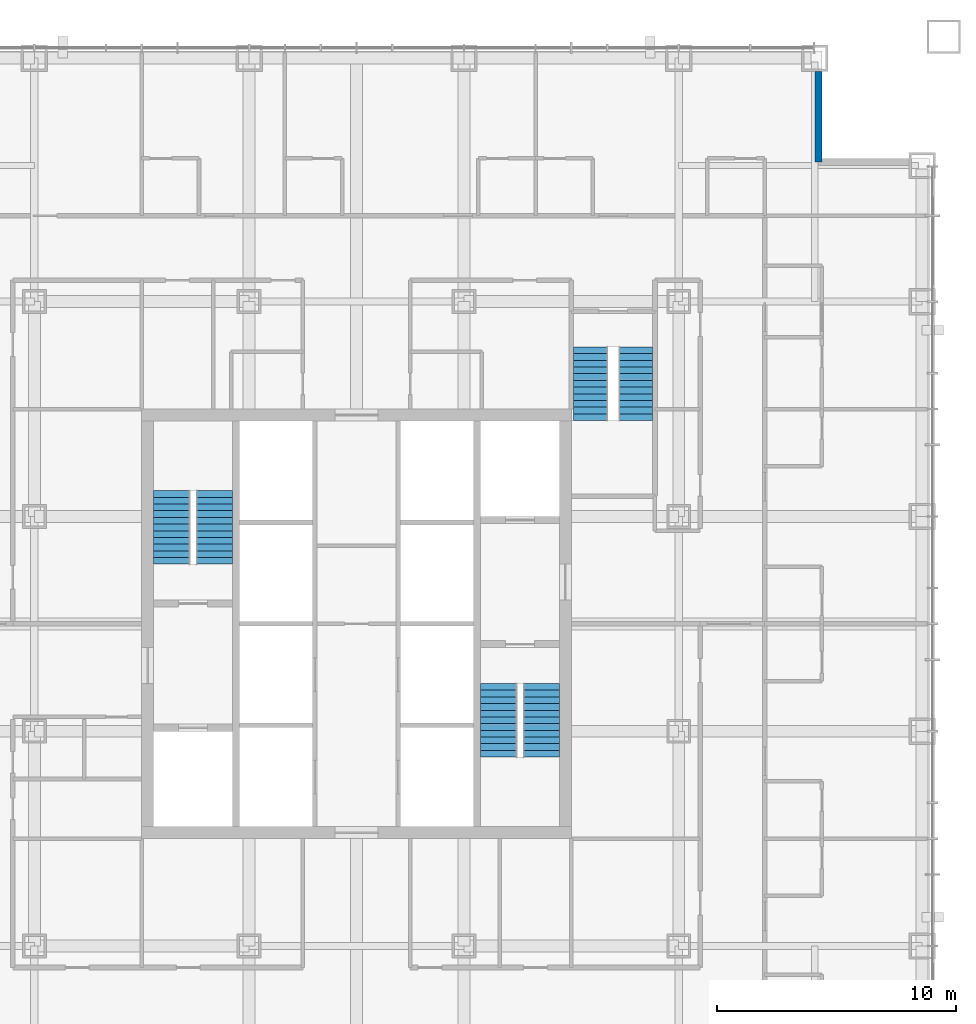
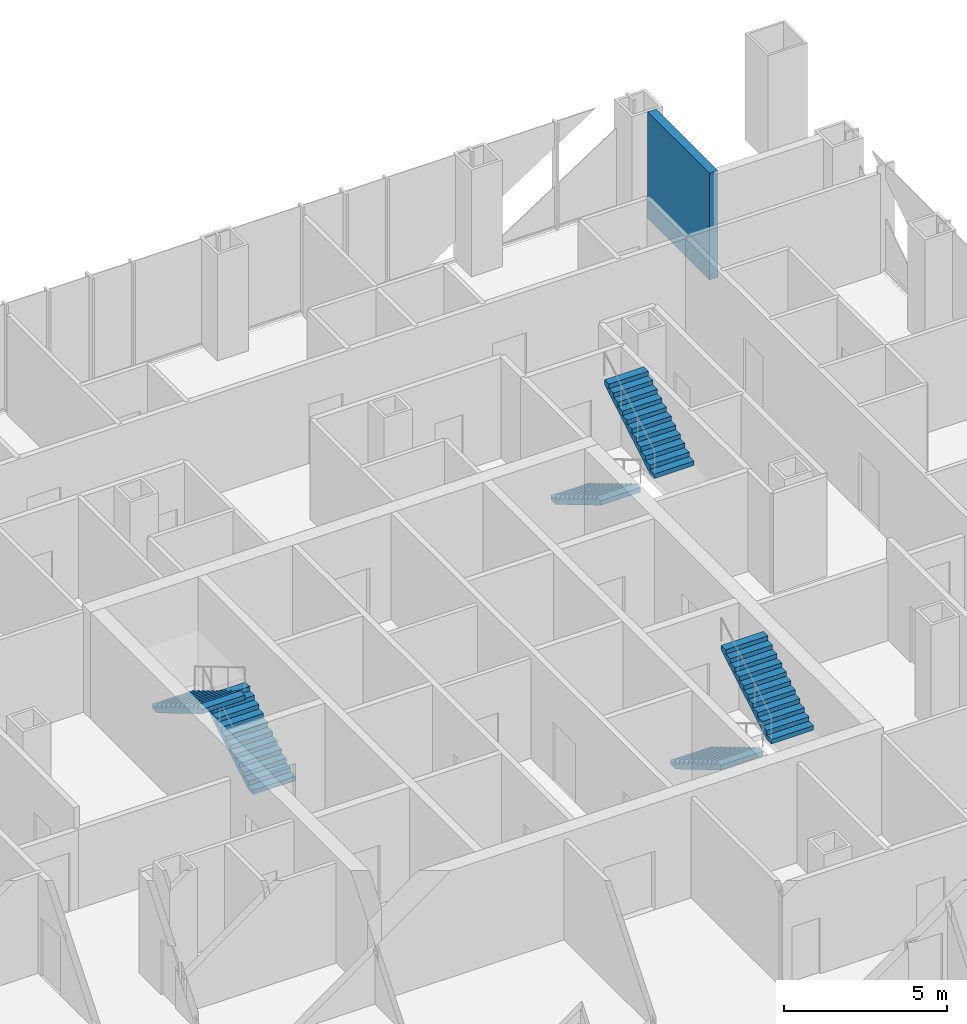
# One storey, part 13 of 14: 6 stair flights, 1 wall, 3 elements without a shape of their own.
"""IFC4 building model written with IfcOpenShell, lengths in metres."""

import ifcopenshell
import ifcopenshell.guid

model = None  # the IFC model being written
_history = None  # IfcOwnerHistory: only IFC2X3 demands one
_inside = {}  # id of a spatial element -> (the spatial element, [elements in it])
_under = {}  # id of a project, library or spatial element -> (it, [spatial elements below it])
_declared = {}  # id of a project -> (the project, [libraries it declares])
_typed = {}  # id of a type object -> (the type object, [elements of that type])
_made_of = {}  # id of a material, layer set ... -> (it, [elements and type objects made of it])


def new_model(schema):
    """Start an empty IFC model of exactly this schema.

    Asked for "IFC4X3", IfcOpenShell would pick the latest addendum, in which some entities
    have other attributes; the version numbers below select the first issue.
    IFC2X3 requires an IfcOwnerHistory on every rooted entity: one is made here for all.
    """
    global model, _history
    if schema == "IFC4X3":
        model = ifcopenshell.file(schema_version=(4, 3, 0, 0))
    else:
        model = ifcopenshell.file(schema=schema)
    _inside.clear()
    _under.clear()
    _declared.clear()
    _typed.clear()
    _made_of.clear()
    _history = None
    if model.schema == "IFC2X3":
        org = make("IfcOrganization", Name="unknown")
        user = make(
            "IfcPersonAndOrganization",
            ThePerson=make("IfcPerson", FamilyName="unknown"),
            TheOrganization=org,
        )
        app = make(
            "IfcApplication",
            ApplicationDeveloper=org,
            Version="unknown",
            ApplicationFullName="unknown",
            ApplicationIdentifier="unknown",
        )
        _history = make(
            "IfcOwnerHistory",
            OwningUser=user,
            OwningApplication=app,
            ChangeAction="ADDED",
            CreationDate=0,
        )
    return model


def make(cls, **values):
    """One entity of the class cls with the attributes given. An attribute that is None is left unset."""
    return model.create_entity(
        cls, **{name: value for name, value in values.items() if value is not None}
    )


def rooted(cls, **values):
    """An entity with a GlobalId (a new one), such as an element, a storey or a relation."""
    return make(cls, GlobalId=ifcopenshell.guid.new(), OwnerHistory=_history, **values)


def si_unit(unit_type, name, prefix=None):
    """IfcSIUnit, for example si_unit("LENGTHUNIT", "METRE", prefix="MILLI")."""
    return make("IfcSIUnit", UnitType=unit_type, Prefix=prefix, Name=name)


def assignment(units):
    """IfcUnitAssignment: the units of a project."""
    return None if units is None else make("IfcUnitAssignment", Units=units)


def point(xyz):
    """IfcCartesianPoint."""
    return None if xyz is None else make("IfcCartesianPoint", Coordinates=xyz)


def direction(xyz):
    """IfcDirection."""
    return None if xyz is None else make("IfcDirection", DirectionRatios=xyz)


def frame(location, z_axis=None, x_axis=None):
    """IfcAxis2Placement3D, a coordinate frame: its origin and axes. An axis left out is left unset."""
    return make(
        "IfcAxis2Placement3D",
        Location=point(location),
        Axis=direction(z_axis),
        RefDirection=direction(x_axis),
    )


def frame_2d(location, x_axis=None):
    """IfcAxis2Placement2D, a coordinate frame in the plane: its origin and x axis."""
    return make(
        "IfcAxis2Placement2D", Location=point(location), RefDirection=direction(x_axis)
    )


def origin():
    """The frame at (0, 0, 0) with its axes left unset."""
    return frame((0.0, 0.0, 0.0))


def place(relative_to, where):
    """IfcLocalPlacement: puts the frame where relative to a parent placement (None: the world)."""
    return make(
        "IfcLocalPlacement", PlacementRelTo=relative_to, RelativePlacement=where
    )


def context(
    kind, dimensions, precision=None, world=None, true_north=None, identifier=None
):
    """IfcGeometricRepresentationContext, for example the 3D "Model" context."""
    return make(
        "IfcGeometricRepresentationContext",
        ContextIdentifier=identifier,
        ContextType=kind,
        CoordinateSpaceDimension=dimensions,
        Precision=precision,
        WorldCoordinateSystem=world,
        TrueNorth=true_north,
    )


def subcontext(parent, identifier, kind, view, scale=None):
    """IfcGeometricRepresentationSubContext, for example "Body" below "Model"."""
    return make(
        "IfcGeometricRepresentationSubContext",
        ContextIdentifier=identifier,
        ContextType=kind,
        ParentContext=parent,
        TargetScale=scale,
        TargetView=view,
    )


def project(units=None, contexts=None):
    """IfcProject with its units and contexts."""
    return rooted(
        "IfcProject",
        Name="project",
        RepresentationContexts=contexts,
        UnitsInContext=assignment(units),
    )


def spatial(cls, under=None, at=None, **own):
    """A site, building, storey or space (cls), placed at a placement, below another one or the project."""
    s = rooted(cls, ObjectPlacement=at, **own)
    if under is not None:
        _under.setdefault(under.id(), (under, []))[1].append(s)
    return s


def polyline(points):
    """IfcPolyline through the points."""
    return make("IfcPolyline", Points=[point(p) for p in points])


def profile(cls, at=None, kind="AREA", **sizes):
    """A parametric profile (cls). Its sizes go by their IFC names, for example OverallWidth=200.0."""
    return make(cls, ProfileType=kind, Position=at, **sizes)


def rectangle(**sizes):
    """IfcRectangleProfileDef."""
    return profile("IfcRectangleProfileDef", **sizes)


def outline(outer, holes=None, kind="AREA"):
    """IfcArbitraryClosedProfileDef: a profile drawn as a closed curve; with holes, ...WithVoids."""
    if holes is None:
        return make("IfcArbitraryClosedProfileDef", ProfileType=kind, OuterCurve=outer)
    return make(
        "IfcArbitraryProfileDefWithVoids",
        ProfileType=kind,
        OuterCurve=outer,
        InnerCurves=holes,
    )


def extrude(swept, where, along, depth):
    """IfcExtrudedAreaSolid: the profile swept, set in the frame where, extruded along a direction by depth."""
    return make(
        "IfcExtrudedAreaSolid",
        SweptArea=swept,
        Position=where,
        ExtrudedDirection=direction(along),
        Depth=depth,
    )


def shape(context_of_items, identifier, shape_type, items):
    """IfcShapeRepresentation: the items that make up one representation, for example the "Body"."""
    return make(
        "IfcShapeRepresentation",
        ContextOfItems=context_of_items,
        RepresentationIdentifier=identifier,
        RepresentationType=shape_type,
        Items=items,
    )


def material(Name=None, Category=None):
    """IfcMaterial."""
    return make("IfcMaterial", Name=Name, Category=Category)


def layer(
    of_material, thickness, ventilated=None, Name=None, Category=None, Priority=None
):
    """IfcMaterialLayer: one layer of a wall or slab, of a material (None: an air gap)."""
    return make(
        "IfcMaterialLayer",
        Material=of_material,
        LayerThickness=thickness,
        IsVentilated=ventilated,
        Name=Name,
        Category=Category,
        Priority=Priority,
    )


def layer_set(layers, Name=None):
    """IfcMaterialLayerSet."""
    return make("IfcMaterialLayerSet", MaterialLayers=layers, LayerSetName=Name)


def made_of(thing, what):
    """Note that an element or type object is made of a material, layer set ...; save() writes the relation."""
    if what is not None:
        _made_of.setdefault(what.id(), (what, []))[1].append(thing)
    return thing


def type_object(cls, material=None, **own):
    """A type object (cls), such as IfcWallType, which elements share."""
    return made_of(rooted(cls, **own), material)


def element(
    cls,
    number,
    at=None,
    inside=None,
    cuts=None,
    type_object=None,
    material=None,
    context=None,
    identifier="Body",
    shape_type=None,
    held_by="IfcProductDefinitionShape",
    body=None,
    shapes=None,
    **own,
):
    """One element of the class cls, such as IfcWall. Its Tag is "e" and its number.

    at: its placement. inside: the storey or other place that contains it. cuts: it is an
    opening in that element (IfcRelVoidsElement). A single representation is given by context,
    identifier, shape_type and body (its items); several are given by shapes. held_by: the class
    of the entity that holds the representations. save() writes the other relations.
    """
    e = rooted(cls, Tag="e%d" % number, ObjectPlacement=at, **own)
    if body is not None:
        shapes = [shape(context, identifier, shape_type, body)]
    if shapes is not None:
        e.Representation = make(held_by, Representations=shapes)
    if inside is not None:
        _inside.setdefault(inside.id(), (inside, []))[1].append(e)
    if cuts is not None:
        rooted(
            "IfcRelVoidsElement", RelatingBuildingElement=cuts, RelatedOpeningElement=e
        )
    if type_object is not None:
        _typed.setdefault(type_object.id(), (type_object, []))[1].append(e)
    return made_of(e, material)


def aggregate(whole, parts):
    """IfcRelAggregates: a whole, such as a stair, and the parts it consists of."""
    return rooted("IfcRelAggregates", RelatingObject=whole, RelatedObjects=parts)


def save(model, path):
    """Write the relations noted so far, then the file.

    IfcRelAggregates (storeys below a building ...), IfcRelContainedInSpatialStructure (elements
    in a storey), IfcRelDefinesByType, IfcRelAssociatesMaterial and IfcRelDeclares: one each for
    every whole, place, type object, material and project.
    """
    for whole, parts in _under.values():
        aggregate(whole, parts)
    for where, things in _inside.values():
        rooted(
            "IfcRelContainedInSpatialStructure",
            RelatedElements=things,
            RelatingStructure=where,
        )
    for kind, things in _typed.values():
        rooted("IfcRelDefinesByType", RelatedObjects=things, RelatingType=kind)
    for what, things in _made_of.values():
        rooted("IfcRelAssociatesMaterial", RelatedObjects=things, RelatingMaterial=what)
    for by, libraries in _declared.values():
        rooted("IfcRelDeclares", RelatingContext=by, RelatedDefinitions=libraries)
    model.write(path)


model = new_model("IFC4")

# Units and contexts
model_context = context("Model", 3, precision=1e-05, world=origin(), true_north=direction((0.0, 1.0)))
body_context = subcontext(model_context, "Body", "Model", "MODEL_VIEW")
ifc_project = project(units=[si_unit("LENGTHUNIT", "METRE"), si_unit("AREAUNIT", "SQUARE_METRE"), si_unit("VOLUMEUNIT", "CUBIC_METRE"), si_unit("PLANEANGLEUNIT", "RADIAN"), si_unit("MASSUNIT", "GRAM", prefix="KILO")], contexts=[model_context])

# Site, building, storey
site_placement = place(None, origin())
site = spatial("IfcSite", under=ifc_project, at=site_placement, CompositionType="ELEMENT")
building_placement = place(site_placement, origin())
building = spatial("IfcBuilding", under=site, at=building_placement, Name="Malebo Sky Hospital", CompositionType="ELEMENT")
storey_placement = place(building_placement, frame((0.0, 0.0, 164.0)))
storey = spatial("IfcBuildingStorey", under=building, at=storey_placement, Name="L39", CompositionType="ELEMENT", Elevation=164.0)

# Wall
ifc_material_1 = material(Name="Anodised aluminium rainscreen on steel framing", Category="steel")
ifc_layer = layer(ifc_material_1, 0.300048828125)
ifc_layer_set = layer_set([ifc_layer], Name="NOTCH RAINSCREEN WALL 300")
wall_type = type_object("IfcWallType", Name="NOTCH RAINSCREEN WALL 300", PredefinedType="ELEMENTEDWALL", material=ifc_layer_set)
wall_placement = place(storey_placement, frame((79.35009765625, 85.14990234375, 0.0), z_axis=(0.0, 0.0, 1.0), x_axis=(0.0, -1.0, 0.0)))
element("IfcWall", 1, at=wall_placement, inside=storey, type_object=wall_type, Name="Notch rainscreen wall N1 L39", PredefinedType="ELEMENTEDWALL", context=body_context, shape_type="SweptSolid", body=[
    extrude(rectangle(XDim=3.7998046875, YDim=0.300048828125, at=frame_2d((1.89990234375, 0.0))), origin(), (0.0, 0.0, 1.0), 4.0),
])

# Stair, stair flights
ifc_material_2 = material(Name="Concrete C40/50", Category="concrete")
stair_type_1 = type_object("IfcStairType", Name="HALF-TURN STAIR 1400 R167", PredefinedType="HALF_TURN_STAIR", material=ifc_material_2)
stair_1_placement = place(storey_placement, origin())
stair_1 = element("IfcStair", 2, at=stair_1_placement, inside=storey, type_object=stair_type_1, Name="Stair S3 L39 type ST1B", PredefinedType="HALF_TURN_STAIR")
stair_flight_type_1 = type_object("IfcStairFlightType", Name="STAIR FLIGHT 1400 R167", PredefinedType="STRAIGHT", material=ifc_material_2)
stair_flight_1_placement = place(storey_placement, frame((69.800048828125, 73.60009765625, 0.0), z_axis=(0.0, 0.0, 1.0), x_axis=(0.0, -1.0, 0.0)))
stair_flight_1 = element("IfcStairFlight", 3, at=stair_flight_1_placement, type_object=stair_flight_type_1, Name="S3 flight 1 type SF1B", NumberOfRisers=12, NumberOfTreads=11, PredefinedType="STRAIGHT", RiserHeight=0.166666667, TreadLength=0.28, context=body_context, shape_type="SweptSolid", body=[
    extrude(outline(polyline([(0.0, 0.0), (0.0, 0.166748046875), (0.280029296875, 0.166748046875), (0.280029296875, 0.333251953125), (0.56005859375, 0.333251953125), (0.56005859375, 0.5), (0.840087890625, 0.5), (0.840087890625, 0.666748046875), (1.1201171875, 0.666748046875), (1.1201171875, 0.833251953125), (1.39990234375, 0.833251953125), (1.39990234375, 1.0), (1.679931640625, 1.0), (1.679931640625, 1.166748046875), (1.9599609375, 1.166748046875), (1.9599609375, 1.333251953125), (2.239990234375, 1.333251953125), (2.239990234375, 1.5), (2.52001953125, 1.5), (2.52001953125, 1.666748046875), (2.800048828125, 1.666748046875), (2.800048828125, 1.833251953125), (3.080078125, 1.833251953125), (3.080078125, 2.0), (3.080078125, 1.658935546875), (0.29296875, 0.0), (0.0, 0.0)])), frame((0.0, 0.699951171875, 0.0), z_axis=(0.0, -1.0, 0.0), x_axis=(1.0, 0.0, 0.0)), (0.0, 0.0, 1.0), 1.39990234375),
])
stair_flight_2_placement = place(storey_placement, frame((71.699951171875, 70.52001953125, 2.0), z_axis=(0.0, 0.0, 1.0), x_axis=(0.0, 1.0, 0.0)))
stair_flight_2 = element("IfcStairFlight", 4, at=stair_flight_2_placement, type_object=stair_flight_type_1, Name="S3 flight 2 type SF1B", NumberOfRisers=12, NumberOfTreads=11, PredefinedType="STRAIGHT", RiserHeight=0.166666667, TreadLength=0.28, context=body_context, shape_type="SweptSolid", body=[
    extrude(outline(polyline([(0.0, 0.0), (0.0, 0.166748046875), (0.280029296875, 0.166748046875), (0.280029296875, 0.333251953125), (0.56005859375, 0.333251953125), (0.56005859375, 0.5), (0.840087890625, 0.5), (0.840087890625, 0.666748046875), (1.1201171875, 0.666748046875), (1.1201171875, 0.833251953125), (1.39990234375, 0.833251953125), (1.39990234375, 1.0), (1.679931640625, 1.0), (1.679931640625, 1.166748046875), (1.9599609375, 1.166748046875), (1.9599609375, 1.333251953125), (2.239990234375, 1.333251953125), (2.239990234375, 1.5), (2.52001953125, 1.5), (2.52001953125, 1.666748046875), (2.800048828125, 1.666748046875), (2.800048828125, 1.833251953125), (3.080078125, 1.833251953125), (3.080078125, 2.0), (3.080078125, 1.658935546875), (0.29296875, 0.0), (0.0, 0.0)])), frame((0.0, 0.699951171875, 0.0), z_axis=(0.0, -1.0, 0.0), x_axis=(1.0, 0.0, 0.0)), (0.0, 0.0, 1.0), 1.39990234375),
])
aggregate(stair_1, [stair_flight_1, stair_flight_2])

stair_type_2 = type_object("IfcStairType", Name="HALF-TURN STAIR 1500 R167", PredefinedType="HALF_TURN_STAIR", material=ifc_material_2)
stair_2_placement = place(storey_placement, origin())
stair_2 = element("IfcStair", 5, at=stair_2_placement, inside=storey, type_object=stair_type_2, Name="Stair S1 L39 type ST1", PredefinedType="HALF_TURN_STAIR")
stair_flight_type_2 = type_object("IfcStairFlightType", Name="STAIR FLIGHT 1500 R167", PredefinedType="STRAIGHT", material=ifc_material_2)
stair_flight_3_placement = place(storey_placement, frame((54.050048828125, 64.5, 0.0), z_axis=(0.0, 0.0, 1.0), x_axis=(0.0, 1.0, 0.0)))
stair_flight_3 = element("IfcStairFlight", 6, at=stair_flight_3_placement, type_object=stair_flight_type_2, Name="S1 flight 1 type SF1", NumberOfRisers=12, NumberOfTreads=11, PredefinedType="STRAIGHT", RiserHeight=0.166666667, TreadLength=0.28, context=body_context, shape_type="SweptSolid", body=[
    extrude(outline(polyline([(0.0, 0.0), (0.0, 0.166748046875), (0.280029296875, 0.166748046875), (0.280029296875, 0.333251953125), (0.56005859375, 0.333251953125), (0.56005859375, 0.5), (0.840087890625, 0.5), (0.840087890625, 0.666748046875), (1.1201171875, 0.666748046875), (1.1201171875, 0.833251953125), (1.39990234375, 0.833251953125), (1.39990234375, 1.0), (1.679931640625, 1.0), (1.679931640625, 1.166748046875), (1.9599609375, 1.166748046875), (1.9599609375, 1.333251953125), (2.239990234375, 1.333251953125), (2.239990234375, 1.5), (2.52001953125, 1.5), (2.52001953125, 1.666748046875), (2.800048828125, 1.666748046875), (2.800048828125, 1.833251953125), (3.080078125, 1.833251953125), (3.080078125, 2.0), (3.080078125, 1.658935546875), (0.29296875, 0.0), (0.0, 0.0)])), frame((0.0, 0.75, 0.0), z_axis=(0.0, -1.0, 0.0), x_axis=(1.0, 0.0, 0.0)), (0.0, 0.0, 1.0), 1.5),
])
stair_flight_4_placement = place(storey_placement, frame((52.25, 67.580078125, 2.0), z_axis=(0.0, 0.0, 1.0), x_axis=(0.0, -1.0, 0.0)))
stair_flight_4 = element("IfcStairFlight", 7, at=stair_flight_4_placement, type_object=stair_flight_type_2, Name="S1 flight 2 type SF1", NumberOfRisers=12, NumberOfTreads=11, PredefinedType="STRAIGHT", RiserHeight=0.166666667, TreadLength=0.28, context=body_context, shape_type="SweptSolid", body=[
    extrude(outline(polyline([(0.0, 0.0), (0.0, 0.166748046875), (0.280029296875, 0.166748046875), (0.280029296875, 0.333251953125), (0.56005859375, 0.333251953125), (0.56005859375, 0.5), (0.840087890625, 0.5), (0.840087890625, 0.666748046875), (1.1201171875, 0.666748046875), (1.1201171875, 0.833251953125), (1.39990234375, 0.833251953125), (1.39990234375, 1.0), (1.679931640625, 1.0), (1.679931640625, 1.166748046875), (1.9599609375, 1.166748046875), (1.9599609375, 1.333251953125), (2.239990234375, 1.333251953125), (2.239990234375, 1.5), (2.52001953125, 1.5), (2.52001953125, 1.666748046875), (2.800048828125, 1.666748046875), (2.800048828125, 1.833251953125), (3.080078125, 1.833251953125), (3.080078125, 2.0), (3.080078125, 1.658935546875), (0.29296875, 0.0), (0.0, 0.0)])), frame((0.0, 0.75, 0.0), z_axis=(0.0, -1.0, 0.0), x_axis=(1.0, 0.0, 0.0)), (0.0, 0.0, 1.0), 1.5),
])
aggregate(stair_2, [stair_flight_3, stair_flight_4])

stair_3_placement = place(storey_placement, origin())
stair_3 = element("IfcStair", 8, at=stair_3_placement, inside=storey, type_object=stair_type_2, Name="Stair S2 L39 type ST1", PredefinedType="HALF_TURN_STAIR")
stair_flight_5_placement = place(storey_placement, frame((65.949951171875, 59.5, 0.0), z_axis=(0.0, 0.0, 1.0), x_axis=(0.0, -1.0, 0.0)))
stair_flight_5 = element("IfcStairFlight", 9, at=stair_flight_5_placement, type_object=stair_flight_type_2, Name="S2 flight 1 type SF1", NumberOfRisers=12, NumberOfTreads=11, PredefinedType="STRAIGHT", RiserHeight=0.166666667, TreadLength=0.28, context=body_context, shape_type="SweptSolid", body=[
    extrude(outline(polyline([(0.0, 0.0), (0.0, 0.166748046875), (0.280029296875, 0.166748046875), (0.280029296875, 0.333251953125), (0.56005859375, 0.333251953125), (0.56005859375, 0.5), (0.840087890625, 0.5), (0.840087890625, 0.666748046875), (1.1201171875, 0.666748046875), (1.1201171875, 0.833251953125), (1.39990234375, 0.833251953125), (1.39990234375, 1.0), (1.679931640625, 1.0), (1.679931640625, 1.166748046875), (1.9599609375, 1.166748046875), (1.9599609375, 1.333251953125), (2.239990234375, 1.333251953125), (2.239990234375, 1.5), (2.52001953125, 1.5), (2.52001953125, 1.666748046875), (2.800048828125, 1.666748046875), (2.800048828125, 1.833251953125), (3.080078125, 1.833251953125), (3.080078125, 2.0), (3.080078125, 1.658935546875), (0.29296875, 0.0), (0.0, 0.0)])), frame((0.0, 0.75, 0.0), z_axis=(0.0, -1.0, 0.0), x_axis=(1.0, 0.0, 0.0)), (0.0, 0.0, 1.0), 1.5),
])
stair_flight_6_placement = place(storey_placement, frame((67.75, 56.419921875, 2.0), z_axis=(0.0, 0.0, 1.0), x_axis=(0.0, 1.0, 0.0)))
stair_flight_6 = element("IfcStairFlight", 10, at=stair_flight_6_placement, type_object=stair_flight_type_2, Name="S2 flight 2 type SF1", NumberOfRisers=12, NumberOfTreads=11, PredefinedType="STRAIGHT", RiserHeight=0.166666667, TreadLength=0.28, context=body_context, shape_type="SweptSolid", body=[
    extrude(outline(polyline([(0.0, 0.0), (0.0, 0.166748046875), (0.280029296875, 0.166748046875), (0.280029296875, 0.333251953125), (0.56005859375, 0.333251953125), (0.56005859375, 0.5), (0.840087890625, 0.5), (0.840087890625, 0.666748046875), (1.1201171875, 0.666748046875), (1.1201171875, 0.833251953125), (1.39990234375, 0.833251953125), (1.39990234375, 1.0), (1.679931640625, 1.0), (1.679931640625, 1.166748046875), (1.9599609375, 1.166748046875), (1.9599609375, 1.333251953125), (2.239990234375, 1.333251953125), (2.239990234375, 1.5), (2.52001953125, 1.5), (2.52001953125, 1.666748046875), (2.800048828125, 1.666748046875), (2.800048828125, 1.833251953125), (3.080078125, 1.833251953125), (3.080078125, 2.0), (3.080078125, 1.658935546875), (0.29296875, 0.0), (0.0, 0.0)])), frame((0.0, 0.75, 0.0), z_axis=(0.0, -1.0, 0.0), x_axis=(1.0, 0.0, 0.0)), (0.0, 0.0, 1.0), 1.5),
])
aggregate(stair_3, [stair_flight_5, stair_flight_6])

save(model, "model.ifc")
